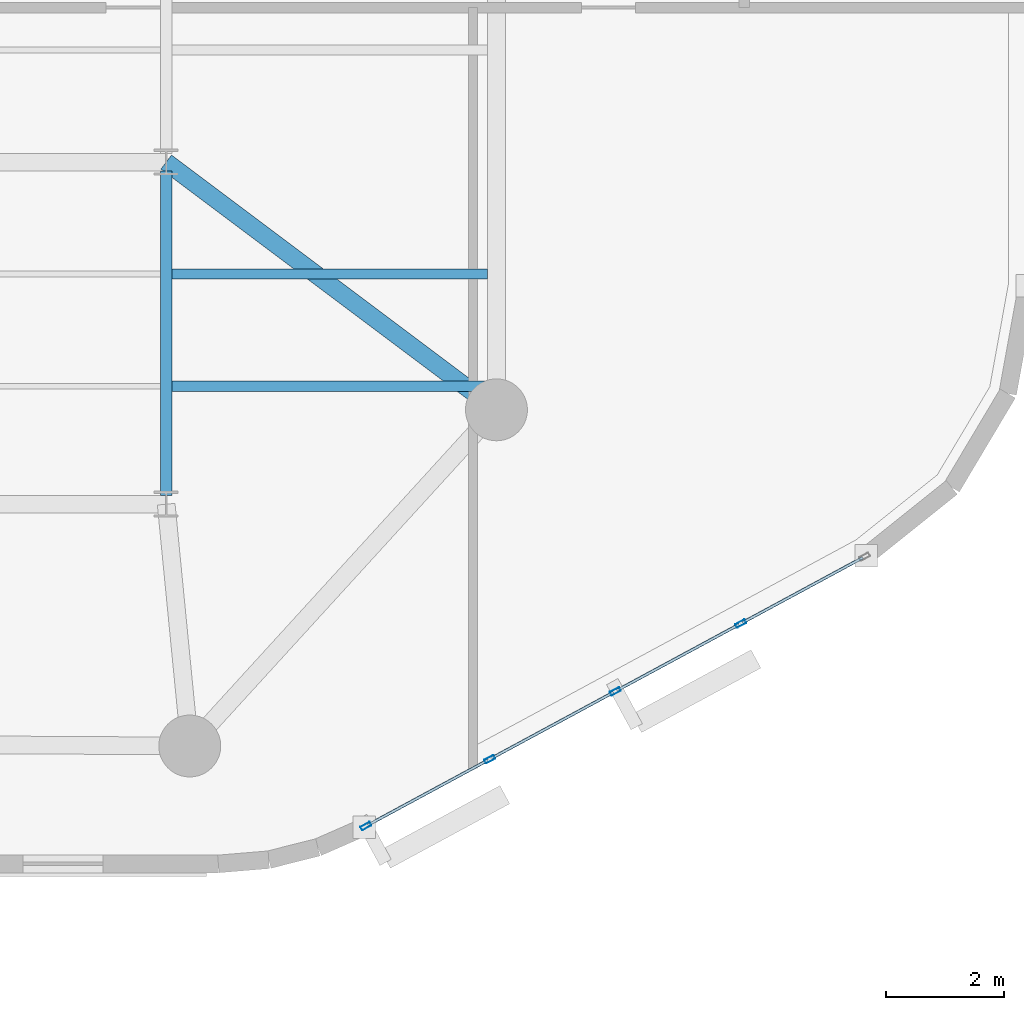
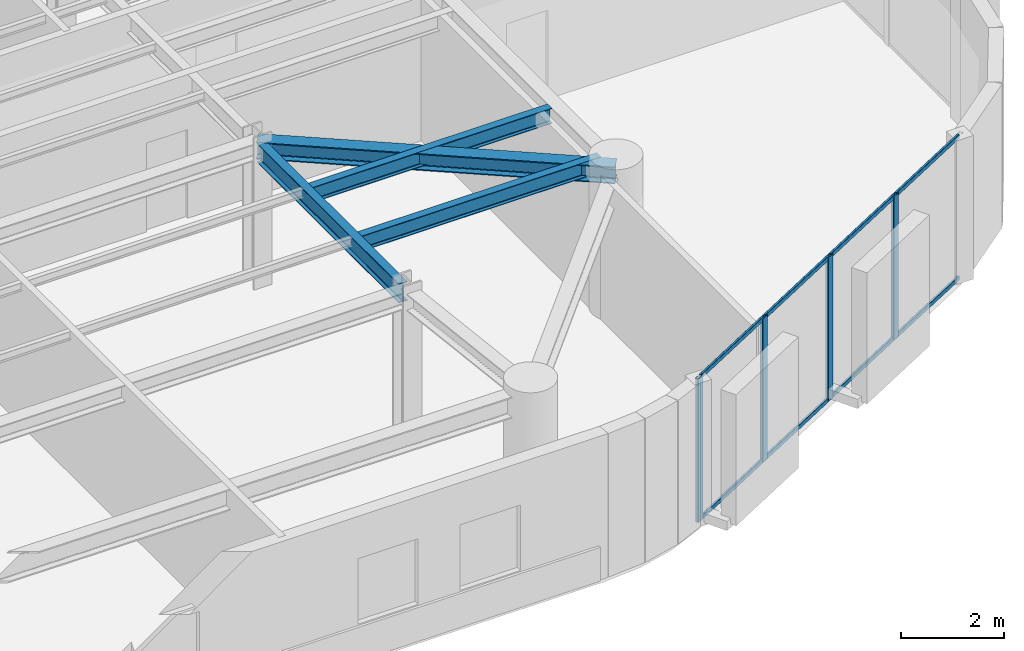
# One storey, part 2 of 13: 12 members, 4 beams, 1 element without a shape of its own.
"""IFC4 building model written with IfcOpenShell, lengths in metres."""

from ifc_helpers import new_model, si_unit, direction, frame, origin, origin_2d, place, context, subcontext, project, spatial, hollow_rectangle, i_section, extrude, material, layer, layer_set, material_profile, profile_set, type_object, element, aggregate, save


model = new_model("IFC4")

# Units and contexts
model_context = context("Model", 3, precision=1e-05, world=origin(), true_north=direction((0.0, 1.0)))
body_context = subcontext(model_context, "Body", "Model", "MODEL_VIEW")
ifc_project = project(units=[si_unit("LENGTHUNIT", "METRE"), si_unit("AREAUNIT", "SQUARE_METRE"), si_unit("VOLUMEUNIT", "CUBIC_METRE"), si_unit("PLANEANGLEUNIT", "RADIAN"), si_unit("MASSUNIT", "GRAM", prefix="KILO")], contexts=[model_context])

# Site, building, storey
site_placement = place(None, origin())
site = spatial("IfcSite", under=ifc_project, at=site_placement, CompositionType="ELEMENT")
building_placement = place(site_placement, origin())
building = spatial("IfcBuilding", under=site, at=building_placement, Name="An Khanh Terracotta Commons", CompositionType="ELEMENT")
storey_placement = place(building_placement, frame((0.0, 0.0, 204.89990234375)))
storey = spatial("IfcBuildingStorey", under=building, at=storey_placement, Name="L53", CompositionType="ELEMENT", Elevation=204.89990234375)

# Beams
ifc_material_1 = material(Name="Steel S355J2", Category="steel")
ifc_material_profile_1 = material_profile(ifc_material_1, i_section(OverallWidth=0.300048828125, OverallDepth=0.39990234375, WebThickness=0.013427734375, FlangeThickness=0.02392578125, FilletRadius=0.027099609375, at=origin_2d()), Name="HEB400")
ifc_profile_set_1 = profile_set([ifc_material_profile_1], Name="Steel S355J2")
beam_type_1 = type_object("IfcBeamType", Name="BM-HEB400", PredefinedType="BEAM", material=ifc_profile_set_1)
beam_1_placement = place(storey_placement, frame((59.60009765625, 16.0, 3.2001953125), z_axis=(-0.800008370399, 0.599988839305, 0.0), x_axis=(-0.599988839305, -0.800008370399, 0.0)))
element("IfcBeam", 1, at=beam_1_placement, inside=storey, type_object=beam_type_1, Name="L53 Mega-Column Tie Girder 3", PredefinedType="BEAM", context=body_context, shape_type="SweptSolid", body=[
    extrude(i_section(OverallWidth=0.300048828125, OverallDepth=0.39990234375, WebThickness=0.013427734375, FlangeThickness=0.02392578125, FilletRadius=0.027099609375, at=origin_2d()), origin(), (0.0, 0.0, 1.0), 7.0),
])
ifc_material_profile_2 = material_profile(ifc_material_1, i_section(OverallWidth=0.169921875, OverallDepth=0.360107421875, WebThickness=0.008056640625, FlangeThickness=0.0126953125, FilletRadius=0.01806640625, at=origin_2d()), Name="IPE360")
ifc_profile_set_2 = profile_set([ifc_material_profile_2], Name="Steel S355J2")
beam_type_2 = type_object("IfcBeamType", Name="BM-IPE360", PredefinedType="JOIST", material=ifc_profile_set_2)
for number, where, z_axis, x_axis, name in (
    (2, (54.094970703125, 16.39990234375, 3.22021484375), (1.0, 0.0, 0.0), (0.0, 1.0, 0.0), "L53 Riverfront Composite Joist 1"),
    (3, (54.094970703125, 18.300048828125, 3.22021484375), (1.0, 0.0, 0.0), (0.0, 1.0, 0.0), "L53 Riverfront Composite Joist 2"),
):
    element("IfcBeam", number, at=place(storey_placement, frame(where, z_axis=z_axis, x_axis=x_axis)), inside=storey, type_object=beam_type_2, Name=name, PredefinedType="JOIST", context=body_context, shape_type="SweptSolid", body=[
        extrude(i_section(OverallWidth=0.169921875, OverallDepth=0.360107421875, WebThickness=0.008056640625, FlangeThickness=0.0126953125, FilletRadius=0.01806640625, at=origin_2d()), origin(), (0.0, 0.0, 1.0), 5.35498046875),
    ])
ifc_material_profile_3 = material_profile(ifc_material_1, i_section(OverallWidth=0.18994140625, OverallDepth=0.449951171875, WebThickness=0.009521484375, FlangeThickness=0.0146484375, FilletRadius=0.02099609375, at=origin_2d()), Name="IPE450")
ifc_profile_set_3 = profile_set([ifc_material_profile_3], Name="Steel S355J2")
beam_type_3 = type_object("IfcBeamType", Name="BM-IPE450", PredefinedType="JOIST", material=ifc_profile_set_3)
beam_2_placement = place(storey_placement, frame((54.0, 14.550048828125, 3.175048828125), z_axis=(0.0, 1.0, 0.0), x_axis=(-1.0, 0.0, 0.0)))
element("IfcBeam", 4, at=beam_2_placement, inside=storey, type_object=beam_type_3, Name="L53 East Spine Girder 1", PredefinedType="JOIST", context=body_context, shape_type="SweptSolid", body=[
    extrude(i_section(OverallWidth=0.18994140625, OverallDepth=0.449951171875, WebThickness=0.009521484375, FlangeThickness=0.0146484375, FilletRadius=0.02099609375, at=origin_2d()), origin(), (0.0, 0.0, 1.0), 5.5),
])

# Curtain wall, members
ifc_material_2 = material(Name="Anodised Aluminium 6063-T6", Category="aluminium")
ifc_layer = layer(ifc_material_2, 0.2099609375, Name="Anodised Aluminium 6063-T6")
ifc_layer_set = layer_set([ifc_layer], Name="Anodised Aluminium 6063-T6")
curtain_wall_type = type_object("IfcCurtainWallType", Name="CW-SYS-03", PredefinedType="USERDEFINED", material=ifc_layer_set)
curtain_wall_placement = place(storey_placement, origin())
curtain_wall = element("IfcCurtainWall", 5, at=curtain_wall_placement, inside=storey, type_object=curtain_wall_type, Name="L53 CW-03 Unitised Curtain Wall CW-L53-08", ObjectType="UNITISED CURTAIN WALL", PredefinedType="USERDEFINED")
ifc_material_profile_4 = material_profile(ifc_material_2, hollow_rectangle(XDim=0.070068359375, YDim=0.179931640625, WallThickness=0.00390625, InnerFilletRadius=0.00390625, OuterFilletRadius=0.008056640625, at=origin_2d()), Name="RHS180x70x4")
ifc_profile_set_4 = profile_set([ifc_material_profile_4], Name="Anodised Aluminium 6063-T6")
member_type_1 = type_object("IfcMemberType", Name="CWM-RHS180x70x4", PredefinedType="MULLION", material=ifc_profile_set_4)
member_1_placement = place(storey_placement, frame((57.3876953125, 8.941650390625, 0.0), z_axis=(0.0, 0.0, 1.0), x_axis=(-0.47538088298, 0.879780095306, 0.0)))
member_1 = element("IfcMember", 6, at=member_1_placement, type_object=member_type_1, Name="CW-03 mullion 1", PredefinedType="MULLION", context=body_context, shape_type="SweptSolid", body=[
    extrude(hollow_rectangle(XDim=0.070068359375, YDim=0.179931640625, WallThickness=0.00390625, InnerFilletRadius=0.00390625, OuterFilletRadius=0.008056640625, at=origin_2d()), origin(), (0.0, 0.0, 1.0), 3.400146484375),
])
member_2_placement = place(storey_placement, frame((59.48583984375, 10.0751953125, 0.0), z_axis=(0.0, 0.0, 1.0), x_axis=(-0.47538088298, 0.879780095306, 0.0)))
member_2 = element("IfcMember", 7, at=member_2_placement, type_object=member_type_1, Name="CW-03 mullion 2", PredefinedType="MULLION", context=body_context, shape_type="SweptSolid", body=[
    extrude(hollow_rectangle(XDim=0.070068359375, YDim=0.179931640625, WallThickness=0.00390625, InnerFilletRadius=0.00390625, OuterFilletRadius=0.008056640625, at=origin_2d()), origin(), (0.0, 0.0, 1.0), 3.400146484375),
])
member_3_placement = place(storey_placement, frame((61.614501953125, 11.2255859375, 0.0), z_axis=(0.0, 0.0, 1.0), x_axis=(-0.47538088298, 0.879780095306, 0.0)))
member_3 = element("IfcMember", 8, at=member_3_placement, type_object=member_type_1, Name="CW-03 mullion 3", PredefinedType="MULLION", context=body_context, shape_type="SweptSolid", body=[
    extrude(hollow_rectangle(XDim=0.070068359375, YDim=0.179931640625, WallThickness=0.00390625, InnerFilletRadius=0.00390625, OuterFilletRadius=0.008056640625, at=origin_2d()), origin(), (0.0, 0.0, 1.0), 3.400146484375),
])
member_4_placement = place(storey_placement, frame((63.7431640625, 12.375732421875, 0.0), z_axis=(0.0, 0.0, 1.0), x_axis=(-0.47538088298, 0.879780095306, 0.0)))
member_4 = element("IfcMember", 9, at=member_4_placement, type_object=member_type_1, Name="CW-03 mullion 4", PredefinedType="MULLION", context=body_context, shape_type="SweptSolid", body=[
    extrude(hollow_rectangle(XDim=0.070068359375, YDim=0.179931640625, WallThickness=0.00390625, InnerFilletRadius=0.00390625, OuterFilletRadius=0.008056640625, at=origin_2d()), origin(), (0.0, 0.0, 1.0), 3.400146484375),
])
ifc_material_profile_5 = material_profile(ifc_material_2, hollow_rectangle(XDim=0.050048828125, YDim=0.10009765625, WallThickness=0.003173828125, InnerFilletRadius=0.003173828125, OuterFilletRadius=0.00634765625, at=origin_2d()), Name="RHS100x50x3.2")
ifc_profile_set_5 = profile_set([ifc_material_profile_5], Name="Anodised Aluminium 6063-T6")
member_type_2 = type_object("IfcMemberType", Name="CWT-RHS100x50x3.2", PredefinedType="USERDEFINED", material=ifc_profile_set_5)
member_5_placement = place(storey_placement, frame((57.418701171875, 8.958251953125, 0.025146484375), z_axis=(0.879779245677, 0.475382455373, 0.0), x_axis=(-0.475382455373, 0.879779245677, 0.0)))
member_5 = element("IfcMember", 10, at=member_5_placement, type_object=member_type_2, Name="CW-03 transom 1.1", ObjectType="TRANSOM", PredefinedType="USERDEFINED", context=body_context, shape_type="SweptSolid", body=[
    extrude(hollow_rectangle(XDim=0.050048828125, YDim=0.10009765625, WallThickness=0.003173828125, InnerFilletRadius=0.003173828125, OuterFilletRadius=0.00634765625, at=origin_2d()), origin(), (0.0, 0.0, 1.0), 2.314697265625),
])
member_6_placement = place(storey_placement, frame((57.418701171875, 8.958251953125, 3.375), z_axis=(0.879779245677, 0.475382455373, 0.0), x_axis=(-0.475382455373, 0.879779245677, 0.0)))
member_6 = element("IfcMember", 11, at=member_6_placement, type_object=member_type_2, Name="CW-03 transom 1.2", ObjectType="TRANSOM", PredefinedType="USERDEFINED", context=body_context, shape_type="SweptSolid", body=[
    extrude(hollow_rectangle(XDim=0.050048828125, YDim=0.10009765625, WallThickness=0.003173828125, InnerFilletRadius=0.003173828125, OuterFilletRadius=0.00634765625, at=origin_2d()), origin(), (0.0, 0.0, 1.0), 2.314697265625),
])
member_7_placement = place(storey_placement, frame((59.5166015625, 10.091796875, 0.025146484375), z_axis=(0.879782861449, 0.475375763686, 0.0), x_axis=(-0.475375763686, 0.879782861449, 0.0)))
member_7 = element("IfcMember", 12, at=member_7_placement, type_object=member_type_2, Name="CW-03 transom 2.1", ObjectType="TRANSOM", PredefinedType="USERDEFINED", context=body_context, shape_type="SweptSolid", body=[
    extrude(hollow_rectangle(XDim=0.050048828125, YDim=0.10009765625, WallThickness=0.003173828125, InnerFilletRadius=0.003173828125, OuterFilletRadius=0.00634765625, at=origin_2d()), origin(), (0.0, 0.0, 1.0), 2.349609375),
])
member_8_placement = place(storey_placement, frame((59.5166015625, 10.091796875, 3.375), z_axis=(0.879782861449, 0.475375763686, 0.0), x_axis=(-0.475375763686, 0.879782861449, 0.0)))
member_8 = element("IfcMember", 13, at=member_8_placement, type_object=member_type_2, Name="CW-03 transom 2.2", ObjectType="TRANSOM", PredefinedType="USERDEFINED", context=body_context, shape_type="SweptSolid", body=[
    extrude(hollow_rectangle(XDim=0.050048828125, YDim=0.10009765625, WallThickness=0.003173828125, InnerFilletRadius=0.003173828125, OuterFilletRadius=0.00634765625, at=origin_2d()), origin(), (0.0, 0.0, 1.0), 2.349609375),
])
member_9_placement = place(storey_placement, frame((61.645263671875, 11.2421875, 0.025146484375), z_axis=(0.879782861449, 0.475375763686, 0.0), x_axis=(-0.475375763686, 0.879782861449, 0.0)))
member_9 = element("IfcMember", 14, at=member_9_placement, type_object=member_type_2, Name="CW-03 transom 3.1", ObjectType="TRANSOM", PredefinedType="USERDEFINED", context=body_context, shape_type="SweptSolid", body=[
    extrude(hollow_rectangle(XDim=0.050048828125, YDim=0.10009765625, WallThickness=0.003173828125, InnerFilletRadius=0.003173828125, OuterFilletRadius=0.00634765625, at=origin_2d()), origin(), (0.0, 0.0, 1.0), 2.349609375),
])
member_10_placement = place(storey_placement, frame((61.645263671875, 11.2421875, 3.375), z_axis=(0.879782861449, 0.475375763686, 0.0), x_axis=(-0.475375763686, 0.879782861449, 0.0)))
member_10 = element("IfcMember", 15, at=member_10_placement, type_object=member_type_2, Name="CW-03 transom 3.2", ObjectType="TRANSOM", PredefinedType="USERDEFINED", context=body_context, shape_type="SweptSolid", body=[
    extrude(hollow_rectangle(XDim=0.050048828125, YDim=0.10009765625, WallThickness=0.003173828125, InnerFilletRadius=0.003173828125, OuterFilletRadius=0.00634765625, at=origin_2d()), origin(), (0.0, 0.0, 1.0), 2.349609375),
])
member_11_placement = place(storey_placement, frame((63.77392578125, 12.392333984375, 0.025146484375), z_axis=(0.879779245677, 0.475382455373, 0.0), x_axis=(-0.475382455373, 0.879779245677, 0.0)))
member_11 = element("IfcMember", 16, at=member_11_placement, type_object=member_type_2, Name="CW-03 transom 4.1", ObjectType="TRANSOM", PredefinedType="USERDEFINED", context=body_context, shape_type="SweptSolid", body=[
    extrude(hollow_rectangle(XDim=0.050048828125, YDim=0.10009765625, WallThickness=0.003173828125, InnerFilletRadius=0.003173828125, OuterFilletRadius=0.00634765625, at=origin_2d()), origin(), (0.0, 0.0, 1.0), 2.314697265625),
])
member_12_placement = place(storey_placement, frame((63.77392578125, 12.392333984375, 3.375), z_axis=(0.879779245677, 0.475382455373, 0.0), x_axis=(-0.475382455373, 0.879779245677, 0.0)))
member_12 = element("IfcMember", 17, at=member_12_placement, type_object=member_type_2, Name="CW-03 transom 4.2", ObjectType="TRANSOM", PredefinedType="USERDEFINED", context=body_context, shape_type="SweptSolid", body=[
    extrude(hollow_rectangle(XDim=0.050048828125, YDim=0.10009765625, WallThickness=0.003173828125, InnerFilletRadius=0.003173828125, OuterFilletRadius=0.00634765625, at=origin_2d()), origin(), (0.0, 0.0, 1.0), 2.314697265625),
])
aggregate(curtain_wall, [member_1, member_2, member_3, member_4, member_5, member_6, member_7, member_8, member_9, member_10, member_11, member_12])

save(model, "model.ifc")
